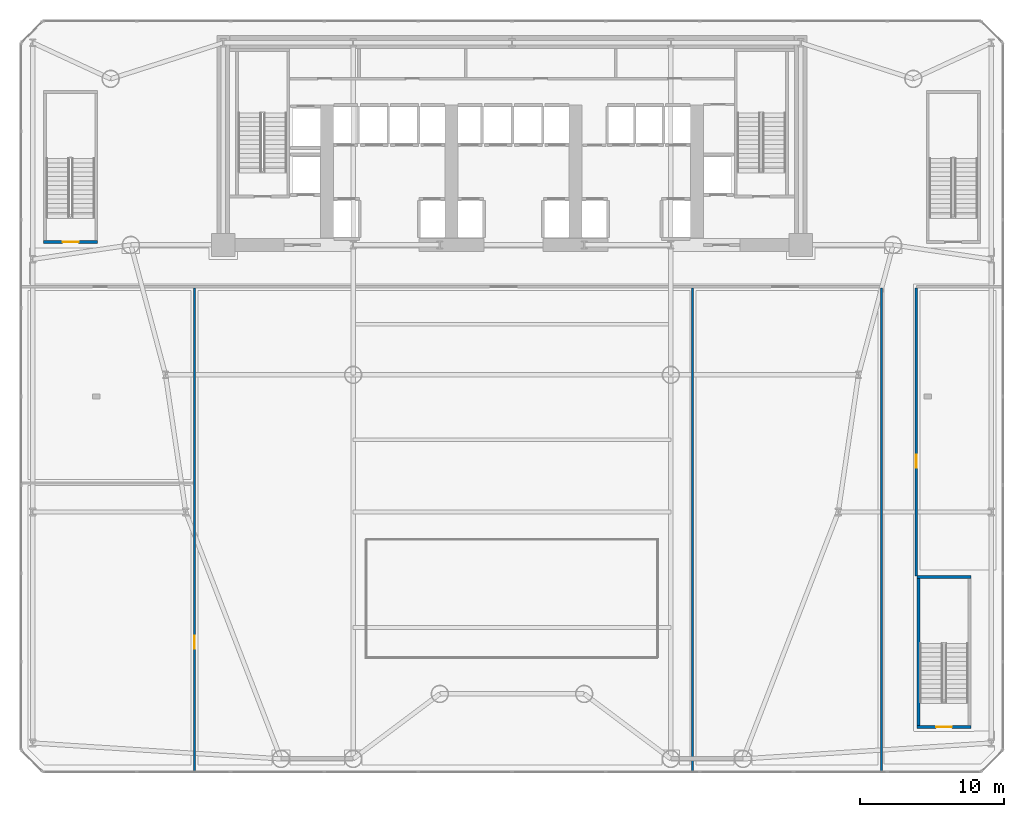
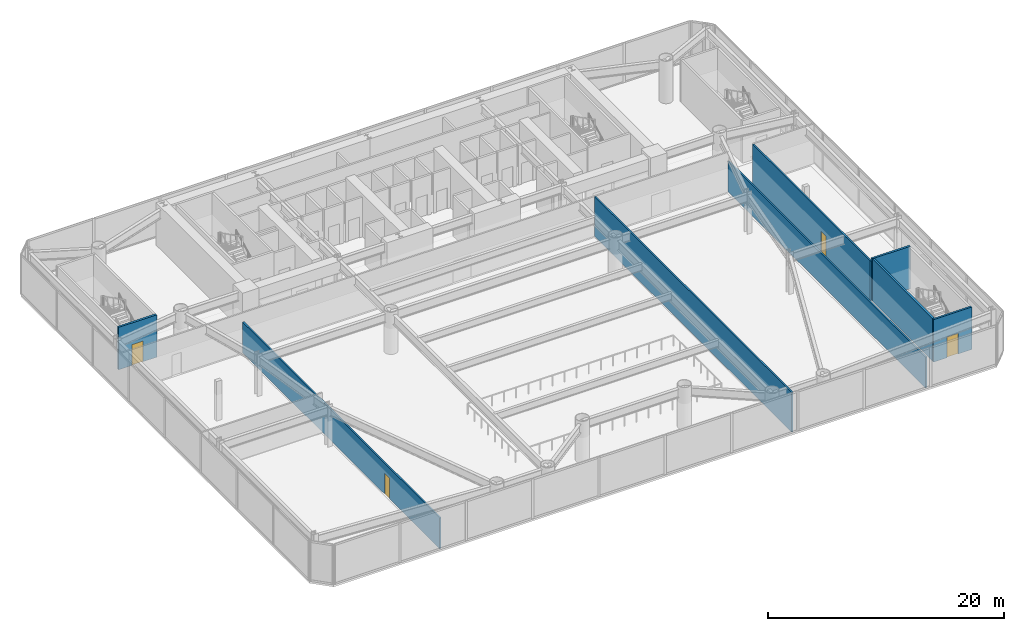
# One storey, part 13 of 24: 8 walls, 4 doors, 4 openings.
"""IFC4 building model written with IfcOpenShell, lengths in metres."""

from ifc_helpers import new_model, si_unit, direction, frame, frame_2d, origin, place, context, subcontext, project, spatial, rectangle, extrude, source, transform, mapped, material, layer, layer_set, type_object, element, fill, save


model = new_model("IFC4")

# Units and contexts
model_context = context("Model", 3, precision=1e-05, world=origin(), true_north=direction((0.0, 1.0)))
body_context = subcontext(model_context, "Body", "Model", "MODEL_VIEW")
ifc_project = project(units=[si_unit("LENGTHUNIT", "METRE"), si_unit("AREAUNIT", "SQUARE_METRE"), si_unit("VOLUMEUNIT", "CUBIC_METRE"), si_unit("PLANEANGLEUNIT", "RADIAN"), si_unit("MASSUNIT", "GRAM", prefix="KILO")], contexts=[model_context])

# Site, building, storey
site_placement = place(None, origin())
site = spatial("IfcSite", under=ifc_project, at=site_placement, CompositionType="ELEMENT")
building_placement = place(site_placement, origin())
building = spatial("IfcBuilding", under=site, at=building_placement, Name="Vaeldorn Concourse Tower", CompositionType="ELEMENT")
storey_placement = place(building_placement, frame((0.0, 0.0, 5.60009765625)))
storey = spatial("IfcBuildingStorey", under=building, at=storey_placement, Name="L01", CompositionType="ELEMENT", Elevation=5.60009765625)

# Wall
ifc_material_1 = material(Name="Gypsum Board Partition", Category="gypsum")
ifc_layer_1 = layer(ifc_material_1, 0.14990234375)
ifc_layer_set_1 = layer_set([ifc_layer_1], Name="Gypsum Board Partition")
wall_type_1 = type_object("IfcWallType", Name="WL-PART-150", PredefinedType="PARTITIONING", material=ifc_layer_set_1)
wall_1_placement = place(storey_placement, frame((59.60009765625, 0.0400390625, 0.0), z_axis=(0.0, 0.0, 1.0), x_axis=(0.0, 1.0, 0.0)))
element("IfcWall", 1, at=wall_1_placement, inside=storey, type_object=wall_type_1, Name="Interior Wall PW-L01-SPW", PredefinedType="PARTITIONING", context=body_context, shape_type="SweptSolid", body=[
    extrude(rectangle(XDim=33.47998046875, YDim=0.14990234375, at=frame_2d((16.739990234375, 0.0))), origin(), (0.0, 0.0, 1.0), 3.199951171875),
])

# Wall, opening, door
wall_2_placement = place(storey_placement, frame((62.0, 13.550048828125, 0.0), z_axis=(0.0, 0.0, 1.0), x_axis=(0.0, 1.0, 0.0)))
wall_2 = element("IfcWall", 2, at=wall_2_placement, inside=storey, type_object=wall_type_1, Name="Interior Wall PW-L01-SPE", PredefinedType="PARTITIONING", context=body_context, shape_type="SweptSolid", body=[
    extrude(rectangle(XDim=19.969970703125, YDim=0.14990234375, at=frame_2d((9.98486328125, 0.0))), origin(), (0.0, 0.0, 1.0), 4.119873046875),
])
opening_1_placement = place(wall_2_placement, frame((7.5, 0.0, 0.0)))
opening_1 = element("IfcOpeningElement", 3, at=opening_1_placement, cuts=wall_2, Name="Opening D-03", PredefinedType="OPENING", context=body_context, shape_type="SweptSolid", body=[
    extrude(rectangle(XDim=0.89990234375, YDim=2.14990234375, at=frame_2d((0.449951171875, 1.074951171875))), frame((0.0, 0.0849609375, 0.0), z_axis=(0.0, -1.0, 0.0), x_axis=(1.0, 0.0, 0.0)), (0.0, 0.0, 1.0), 0.169921875),
])
ifc_material_2 = material(Name="Acoustic Bronze-Framed Glass Door", Category="glass")
door_type_1 = type_object("IfcDoorType", Name="DR-INT-900", OperationType="NOTDEFINED", PredefinedType="DOOR", material=ifc_material_2)
shared_shape_1 = source(origin(), body_context, "Body", "SweptSolid", [
    extrude(rectangle(XDim=0.89990234375, YDim=2.14990234375, at=frame_2d((0.449951171875, 1.074951171875))), frame((0.0, 0.02490234375, 0.0), z_axis=(0.0, -1.0, 0.0), x_axis=(1.0, 0.0, 0.0)), (0.0, 0.0, 1.0), 0.050048828125),
])
door_1_placement = place(opening_1_placement, origin())
door_1 = element("IfcDoor", 4, at=door_1_placement, inside=storey, type_object=door_type_1, Name="Interior Door DR-L01-LOUE", OperationType="SINGLE_SWING_LEFT", OverallHeight=2.14990234375, OverallWidth=0.89990234375, PredefinedType="DOOR", context=body_context, shape_type="MappedRepresentation", body=[
    mapped(shared_shape_1, transform((0.0, 0.0, 0.0), scale=1.0)),
])
fill(opening_1, door_1)

wall_3_placement = place(storey_placement, frame((12.0, 0.0400390625, 0.0), z_axis=(0.0, 0.0, 1.0), x_axis=(0.0, 1.0, 0.0)))
wall_3 = element("IfcWall", 5, at=wall_3_placement, inside=storey, type_object=wall_type_1, Name="Interior Wall PW-L01-W1", PredefinedType="PARTITIONING", context=body_context, shape_type="SweptSolid", body=[
    extrude(rectangle(XDim=33.47998046875, YDim=0.14990234375, at=frame_2d((16.739990234375, 0.0))), origin(), (0.0, 0.0, 1.0), 3.199951171875),
])
opening_2_placement = place(wall_3_placement, frame((8.5, 0.0, 0.0)))
opening_2 = element("IfcOpeningElement", 6, at=opening_2_placement, cuts=wall_3, Name="Opening D-03", PredefinedType="OPENING", context=body_context, shape_type="SweptSolid", body=[
    extrude(rectangle(XDim=0.89990234375, YDim=2.14990234375, at=frame_2d((0.449951171875, 1.074951171875))), frame((0.0, 0.0849609375, 0.0), z_axis=(0.0, -1.0, 0.0), x_axis=(1.0, 0.0, 0.0)), (0.0, 0.0, 1.0), 0.169921875),
])
door_2_placement = place(opening_2_placement, origin())
door_2 = element("IfcDoor", 7, at=door_2_placement, inside=storey, type_object=door_type_1, Name="Interior Door DR-L01-CAFE", OperationType="SINGLE_SWING_RIGHT", OverallHeight=2.14990234375, OverallWidth=0.89990234375, PredefinedType="DOOR", context=body_context, shape_type="MappedRepresentation", body=[
    mapped(shared_shape_1, transform((0.0, 0.0, 0.0), scale=1.0)),
])
fill(opening_2, door_2)

# Wall
wall_4_placement = place(storey_placement, frame((46.5, 0.0400390625, 0.0), z_axis=(0.0, 0.0, 1.0), x_axis=(0.0, 1.0, 0.0)))
element("IfcWall", 8, at=wall_4_placement, inside=storey, type_object=wall_type_1, Name="Interior Wall PW-L01-W3", PredefinedType="PARTITIONING", context=body_context, shape_type="SweptSolid", body=[
    extrude(rectangle(XDim=33.47998046875, YDim=0.14990234375, at=frame_2d((16.739990234375, 0.0))), origin(), (0.0, 0.0, 1.0), 4.119873046875),
])

# Wall, opening, door
ifc_material_3 = material(Name="Concrete C50/60", Category="concrete")
ifc_layer_2 = layer(ifc_material_3, 0.199951171875)
ifc_layer_set_2 = layer_set([ifc_layer_2], Name="Concrete C50/60")
wall_type_2 = type_object("IfcWallType", Name="WL-SHAFT-200", PredefinedType="SOLIDWALL", material=ifc_layer_set_2)
wall_5_placement = place(storey_placement, frame((1.550048828125, 36.699951171875, 0.0), z_axis=(0.0, 0.0, 1.0), x_axis=(1.0, 0.0, 0.0)))
wall_5 = element("IfcWall", 9, at=wall_5_placement, inside=storey, type_object=wall_type_2, Name="Stair Shaft Wall CW-L01-ST-3-S", PredefinedType="SOLIDWALL", context=body_context, shape_type="SweptSolid", body=[
    extrude(rectangle(XDim=3.75, YDim=0.199951171875, at=frame_2d((1.875, 0.0))), origin(), (0.0, 0.0, 1.0), 4.39990234375),
])
opening_3_placement = place(wall_5_placement, frame((1.324951171875, 0.0, 0.0)))
opening_3 = element("IfcOpeningElement", 10, at=opening_3_placement, cuts=wall_5, Name="Opening D-01", PredefinedType="OPENING", context=body_context, shape_type="SweptSolid", body=[
    extrude(rectangle(XDim=1.10009765625, YDim=2.14990234375, at=frame_2d((0.550048828125, 1.074951171875))), frame((0.0, 0.10986328125, 0.0), z_axis=(0.0, -1.0, 0.0), x_axis=(1.0, 0.0, 0.0)), (0.0, 0.0, 1.0), 0.219970703125),
])
ifc_material_4 = material(Name="Fire-Rated Timber and Steel Leaf", Category="steel")
door_type_2 = type_object("IfcDoorType", Name="DR-FD60-1100", OperationType="NOTDEFINED", PredefinedType="DOOR", material=ifc_material_4)
shared_shape_2 = source(origin(), body_context, "Body", "SweptSolid", [
    extrude(rectangle(XDim=1.10009765625, YDim=2.14990234375, at=frame_2d((0.550048828125, 1.074951171875))), frame((0.0, 0.02490234375, 0.0), z_axis=(0.0, -1.0, 0.0), x_axis=(1.0, 0.0, 0.0)), (0.0, 0.0, 1.0), 0.050048828125),
])
door_3_placement = place(opening_3_placement, origin())
door_3 = element("IfcDoor", 11, at=door_3_placement, inside=storey, type_object=door_type_2, Name="Interior Door DR-L01-ST-3", OperationType="SINGLE_SWING_LEFT", OverallHeight=2.14990234375, OverallWidth=1.10009765625, PredefinedType="DOOR", context=body_context, shape_type="MappedRepresentation", body=[
    mapped(shared_shape_2, transform((0.0, 0.0, 0.0), scale=1.0)),
])
fill(opening_3, door_3)

wall_6_placement = place(storey_placement, frame((62.050048828125, 3.10009765625, 0.0), z_axis=(0.0, 0.0, 1.0), x_axis=(1.0, 0.0, 0.0)))
wall_6 = element("IfcWall", 12, at=wall_6_placement, inside=storey, type_object=wall_type_2, Name="Stair Shaft Wall CW-L01-ST-5-S", PredefinedType="SOLIDWALL", context=body_context, shape_type="SweptSolid", body=[
    extrude(rectangle(XDim=3.75, YDim=0.199951171875, at=frame_2d((1.875, 0.0))), origin(), (0.0, 0.0, 1.0), 4.39990234375),
])
opening_4_placement = place(wall_6_placement, frame((1.324951171875, 0.0, 0.0)))
opening_4 = element("IfcOpeningElement", 13, at=opening_4_placement, cuts=wall_6, Name="Opening D-01", PredefinedType="OPENING", context=body_context, shape_type="SweptSolid", body=[
    extrude(rectangle(XDim=1.10009765625, YDim=2.14990234375, at=frame_2d((0.550048828125, 1.074951171875))), frame((0.0, 0.10986328125, 0.0), z_axis=(0.0, -1.0, 0.0), x_axis=(1.0, 0.0, 0.0)), (0.0, 0.0, 1.0), 0.219970703125),
])
door_4_placement = place(opening_4_placement, origin())
door_4 = element("IfcDoor", 14, at=door_4_placement, inside=storey, type_object=door_type_2, Name="Interior Door DR-L01-ST-5", OperationType="SINGLE_SWING_RIGHT", OverallHeight=2.14990234375, OverallWidth=1.10009765625, PredefinedType="DOOR", context=body_context, shape_type="MappedRepresentation", body=[
    mapped(shared_shape_2, transform((0.0, 0.0, 0.0), scale=1.0)),
])
fill(opening_4, door_4)

# Walls
wall_7_placement = place(storey_placement, frame((62.050048828125, 13.5, 0.0), z_axis=(0.0, 0.0, 1.0), x_axis=(1.0, 0.0, 0.0)))
element("IfcWall", 15, at=wall_7_placement, inside=storey, type_object=wall_type_2, Name="Stair Shaft Wall CW-L01-ST-5-N", PredefinedType="SOLIDWALL", context=body_context, shape_type="SweptSolid", body=[
    extrude(rectangle(XDim=3.75, YDim=0.199951171875, at=frame_2d((1.875, 0.0))), origin(), (0.0, 0.0, 1.0), 4.39990234375),
])
wall_8_placement = place(storey_placement, frame((62.14990234375, 3.2099609375, 0.0), z_axis=(0.0, 0.0, 1.0), x_axis=(0.0, 1.0, 0.0)))
element("IfcWall", 16, at=wall_8_placement, inside=storey, type_object=wall_type_2, Name="Stair Shaft Wall CW-L01-ST-5-W", PredefinedType="SOLIDWALL", context=body_context, shape_type="SweptSolid", body=[
    extrude(rectangle(XDim=10.179931640625, YDim=0.199951171875, at=frame_2d((5.08984375, 0.0))), origin(), (0.0, 0.0, 1.0), 4.39990234375),
])

save(model, "model.ifc")
